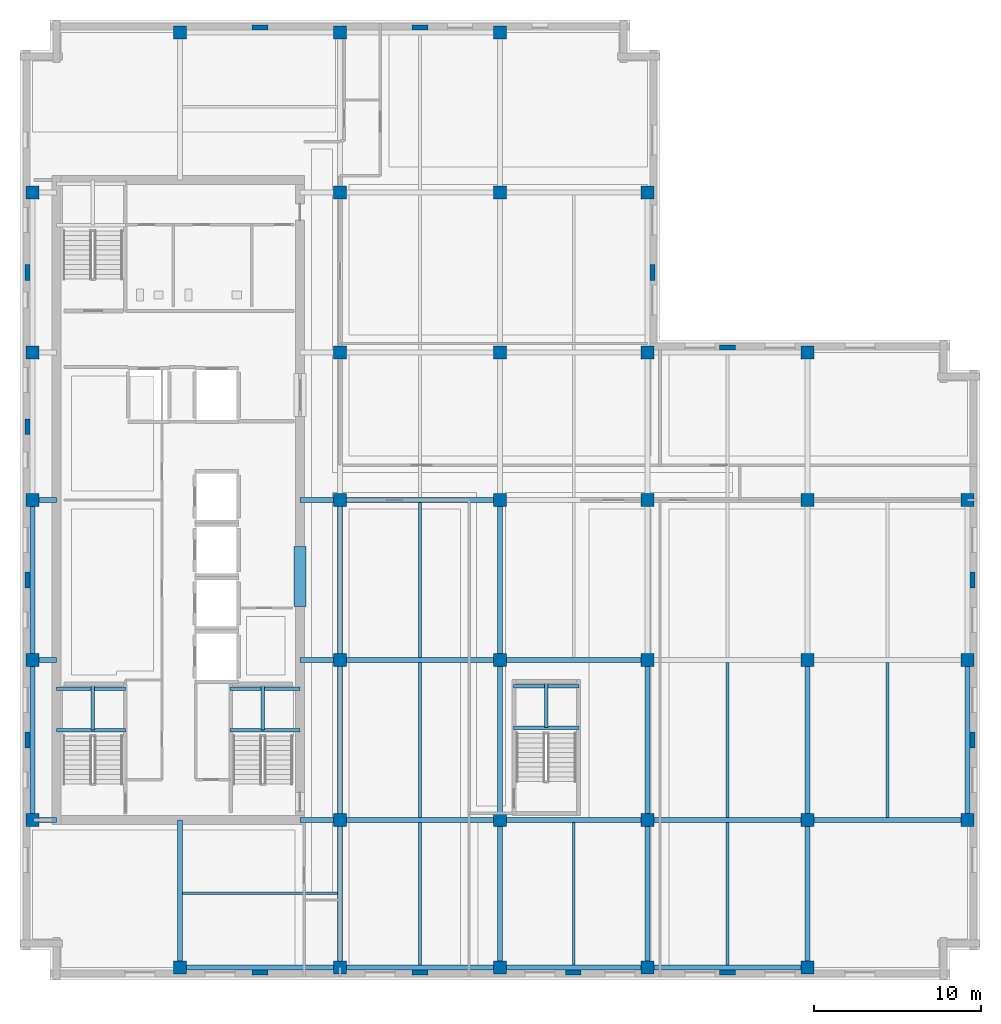
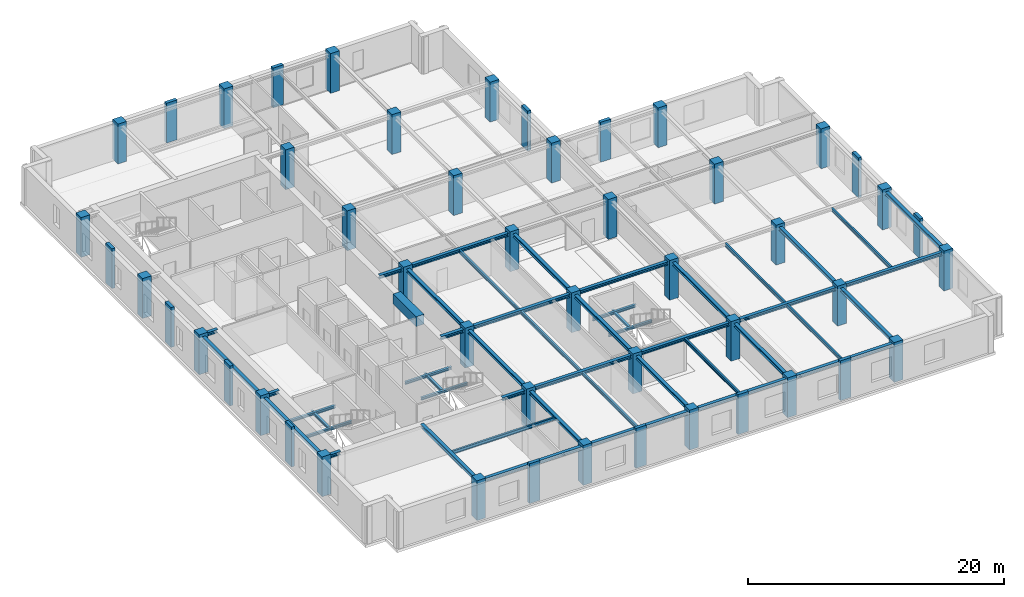
# One storey, part 1 of 12: 49 beams, 49 columns.
"""IFC4 building model written with IfcOpenShell, lengths in metres."""

from ifc_helpers import new_model, si_unit, direction, frame, origin, origin_2d, place, context, subcontext, project, spatial, rectangle, i_section, extrude, material, material_profile, profile_set, type_object, element, save


model = new_model("IFC4")

# Units and contexts
model_context = context("Model", 3, precision=1e-05, world=origin(), true_north=direction((0.0, 1.0)))
body_context = subcontext(model_context, "Body", "Model", "MODEL_VIEW")
ifc_project = project(units=[si_unit("LENGTHUNIT", "METRE"), si_unit("AREAUNIT", "SQUARE_METRE"), si_unit("VOLUMEUNIT", "CUBIC_METRE"), si_unit("PLANEANGLEUNIT", "RADIAN"), si_unit("MASSUNIT", "GRAM", prefix="KILO")], contexts=[model_context])

# Site, building, storey
site_placement = place(None, origin())
site = spatial("IfcSite", under=ifc_project, at=site_placement, CompositionType="ELEMENT")
building_placement = place(site_placement, origin())
building = spatial("IfcBuilding", under=site, at=building_placement, Name="Norrvale University Quadrangle", CompositionType="ELEMENT")
storey_placement = place(building_placement, frame((0.0, 0.0, 240.800048828125)))
storey = spatial("IfcBuildingStorey", under=building, at=storey_placement, Name="L61", CompositionType="ELEMENT", Elevation=240.800048828125)

# Columns
ifc_material_1 = material(Name="Red Manganese Brick Concrete C60/75", Category="concrete")
ifc_material_profile_1 = material_profile(ifc_material_1, rectangle(XDim=0.949951171875, YDim=0.300048828125, at=origin_2d()), Name="Red Manganese Brick Concrete C60/75")
ifc_profile_set_1 = profile_set([ifc_material_profile_1], Name="Red Manganese Brick Concrete C60/75")
column_type_1 = type_object("IfcColumnType", Name="Column Brick Pier 950x300", PredefinedType="PILASTER", material=ifc_profile_set_1)
for number, where, z_axis, x_axis, name in (
    (1, (0.449951171875, 14.39990234375, 0.0), (0.0, 0.0, 1.0), (0.0, 1.0, 0.0), "Exterior Brick Facade Pilaster L61-01"),
    (2, (0.449951171875, 24.0, 0.0), (0.0, 0.0, 1.0), (0.0, 1.0, 0.0), "Exterior Brick Facade Pilaster L61-02"),
    (3, (0.449951171875, 33.199951171875, 0.0), (0.0, 0.0, 1.0), (0.0, 1.0, 0.0), "Exterior Brick Facade Pilaster L61-03"),
    (4, (0.449951171875, 42.449951171875, 0.0), (0.0, 0.0, 1.0), (0.0, 1.0, 0.0), "Exterior Brick Facade Pilaster L61-04"),
    (5, (14.39990234375, 0.449951171875, 0.0), (0.0, 0.0, 1.0), (1.0, 0.0, 0.0), "Exterior Brick Facade Pilaster L61-05"),
    (6, (24.0, 0.449951171875, 0.0), (0.0, 0.0, 1.0), (1.0, 0.0, 0.0), "Exterior Brick Facade Pilaster L61-06"),
    (7, (33.199951171875, 0.449951171875, 0.0), (0.0, 0.0, 1.0), (1.0, 0.0, 0.0), "Exterior Brick Facade Pilaster L61-07"),
    (8, (42.449951171875, 0.449951171875, 0.0), (0.0, 0.0, 1.0), (1.0, 0.0, 0.0), "Exterior Brick Facade Pilaster L61-08"),
    (9, (57.14990234375, 14.39990234375, 0.0), (0.0, 0.0, 1.0), (0.0, 1.0, 0.0), "Exterior Brick Facade Pilaster L61-09"),
    (10, (57.14990234375, 24.0, 0.0), (0.0, 0.0, 1.0), (0.0, 1.0, 0.0), "Exterior Brick Facade Pilaster L61-10"),
    (11, (14.39990234375, 57.14990234375, 0.0), (0.0, 0.0, 1.0), (1.0, 0.0, 0.0), "Exterior Brick Facade Pilaster L61-11"),
    (12, (24.0, 57.14990234375, 0.0), (0.0, 0.0, 1.0), (1.0, 0.0, 0.0), "Exterior Brick Facade Pilaster L61-12"),
    (13, (37.949951171875, 42.449951171875, 0.0), (0.0, 0.0, 1.0), (0.0, 1.0, 0.0), "Exterior Brick Facade Pilaster L61-13"),
    (14, (42.449951171875, 37.949951171875, 0.0), (0.0, 0.0, 1.0), (1.0, 0.0, 0.0), "Exterior Brick Facade Pilaster L61-14"),
):
    element("IfcColumn", number, at=place(storey_placement, frame(where, z_axis=z_axis, x_axis=x_axis)), inside=storey, type_object=column_type_1, Name=name, PredefinedType="PILASTER", context=body_context, shape_type="SweptSolid", body=[
        extrude(rectangle(XDim=0.949951171875, YDim=0.300048828125, at=origin_2d()), origin(), (0.0, 0.0, 1.0), 3.800048828125),
    ])
ifc_material_2 = material(Name="Concrete C60/75", Category="concrete")
ifc_material_profile_2 = material_profile(ifc_material_2, rectangle(XDim=0.800048828125, YDim=0.800048828125, at=origin_2d()), Name="Concrete C60/75")
ifc_profile_set_2 = profile_set([ifc_material_profile_2], Name="Concrete C60/75")
column_type_2 = type_object("IfcColumnType", Name="Column Tower Z3 800x800", PredefinedType="COLUMN", material=ifc_profile_set_2)
for number, where, z_axis, x_axis, name in (
    (15, (0.75, 9.60009765625, 0.0), (0.0, 0.0, 1.0), (1.0, 0.0, 0.0), "Tower Column L61-T01"),
    (16, (0.75, 19.199951171875, 0.0), (0.0, 0.0, 1.0), (1.0, 0.0, 0.0), "Tower Column L61-T02"),
    (17, (0.75, 28.800048828125, 0.0), (0.0, 0.0, 1.0), (1.0, 0.0, 0.0), "Tower Column L61-T03"),
    (18, (0.75, 37.64990234375, 0.0), (0.0, 0.0, 1.0), (1.0, 0.0, 0.0), "Tower Column L61-T04"),
    (19, (0.75, 47.25, 0.0), (0.0, 0.0, 1.0), (1.0, 0.0, 0.0), "Tower Column L61-T05"),
    (20, (9.60009765625, 0.75, 0.0), (0.0, 0.0, 1.0), (1.0, 0.0, 0.0), "Tower Column L61-T06"),
    (21, (9.60009765625, 56.85009765625, 0.0), (0.0, 0.0, 1.0), (1.0, 0.0, 0.0), "Tower Column L61-T07"),
    (22, (19.199951171875, 0.75, 0.0), (0.0, 0.0, 1.0), (1.0, 0.0, 0.0), "Tower Column L61-T08"),
    (23, (19.199951171875, 9.60009765625, 0.0), (0.0, 0.0, 1.0), (1.0, 0.0, 0.0), "Tower Column L61-T09"),
    (24, (19.199951171875, 19.199951171875, 0.0), (0.0, 0.0, 1.0), (1.0, 0.0, 0.0), "Tower Column L61-T10"),
    (25, (19.199951171875, 28.800048828125, 0.0), (0.0, 0.0, 1.0), (1.0, 0.0, 0.0), "Tower Column L61-T11"),
    (26, (19.199951171875, 37.64990234375, 0.0), (0.0, 0.0, 1.0), (1.0, 0.0, 0.0), "Tower Column L61-T12"),
    (27, (19.199951171875, 47.25, 0.0), (0.0, 0.0, 1.0), (1.0, 0.0, 0.0), "Tower Column L61-T13"),
    (28, (19.199951171875, 56.85009765625, 0.0), (0.0, 0.0, 1.0), (1.0, 0.0, 0.0), "Tower Column L61-T14"),
    (29, (28.800048828125, 0.75, 0.0), (0.0, 0.0, 1.0), (1.0, 0.0, 0.0), "Tower Column L61-T15"),
    (30, (28.800048828125, 9.60009765625, 0.0), (0.0, 0.0, 1.0), (1.0, 0.0, 0.0), "Tower Column L61-T16"),
    (31, (28.800048828125, 19.199951171875, 0.0), (0.0, 0.0, 1.0), (1.0, 0.0, 0.0), "Tower Column L61-T17"),
    (32, (28.800048828125, 28.800048828125, 0.0), (0.0, 0.0, 1.0), (1.0, 0.0, 0.0), "Tower Column L61-T18"),
    (33, (28.800048828125, 37.64990234375, 0.0), (0.0, 0.0, 1.0), (1.0, 0.0, 0.0), "Tower Column L61-T19"),
    (34, (28.800048828125, 47.25, 0.0), (0.0, 0.0, 1.0), (1.0, 0.0, 0.0), "Tower Column L61-T20"),
    (35, (28.800048828125, 56.85009765625, 0.0), (0.0, 0.0, 1.0), (1.0, 0.0, 0.0), "Tower Column L61-T21"),
    (36, (37.64990234375, 0.75, 0.0), (0.0, 0.0, 1.0), (1.0, 0.0, 0.0), "Tower Column L61-T22"),
    (37, (37.64990234375, 9.60009765625, 0.0), (0.0, 0.0, 1.0), (1.0, 0.0, 0.0), "Tower Column L61-T23"),
    (38, (37.64990234375, 19.199951171875, 0.0), (0.0, 0.0, 1.0), (1.0, 0.0, 0.0), "Tower Column L61-T24"),
    (39, (37.64990234375, 28.800048828125, 0.0), (0.0, 0.0, 1.0), (1.0, 0.0, 0.0), "Tower Column L61-T25"),
    (40, (37.64990234375, 37.64990234375, 0.0), (0.0, 0.0, 1.0), (1.0, 0.0, 0.0), "Tower Column L61-T26"),
    (41, (37.64990234375, 47.25, 0.0), (0.0, 0.0, 1.0), (1.0, 0.0, 0.0), "Tower Column L61-T27"),
    (42, (47.25, 0.75, 0.0), (0.0, 0.0, 1.0), (1.0, 0.0, 0.0), "Tower Column L61-T28"),
    (43, (47.25, 9.60009765625, 0.0), (0.0, 0.0, 1.0), (1.0, 0.0, 0.0), "Tower Column L61-T29"),
    (44, (47.25, 19.199951171875, 0.0), (0.0, 0.0, 1.0), (1.0, 0.0, 0.0), "Tower Column L61-T30"),
    (45, (47.25, 28.800048828125, 0.0), (0.0, 0.0, 1.0), (1.0, 0.0, 0.0), "Tower Column L61-T31"),
    (46, (47.25, 37.64990234375, 0.0), (0.0, 0.0, 1.0), (1.0, 0.0, 0.0), "Tower Column L61-T32"),
    (47, (56.85009765625, 9.60009765625, 0.0), (0.0, 0.0, 1.0), (1.0, 0.0, 0.0), "Tower Column L61-T33"),
    (48, (56.85009765625, 19.199951171875, 0.0), (0.0, 0.0, 1.0), (1.0, 0.0, 0.0), "Tower Column L61-T34"),
    (49, (56.85009765625, 28.800048828125, 0.0), (0.0, 0.0, 1.0), (1.0, 0.0, 0.0), "Tower Column L61-T35"),
):
    element("IfcColumn", number, at=place(storey_placement, frame(where, z_axis=z_axis, x_axis=x_axis)), inside=storey, type_object=column_type_2, Name=name, PredefinedType="COLUMN", context=body_context, shape_type="SweptSolid", body=[
        extrude(rectangle(XDim=0.800048828125, YDim=0.800048828125, at=origin_2d()), origin(), (0.0, 0.0, 1.0), 3.800048828125),
    ])

# Beams
ifc_material_3 = material(Name="Steel 350W", Category="steel")
ifc_material_profile_3 = material_profile(ifc_material_3, i_section(OverallWidth=0.1669921875, OverallDepth=0.31689453125, WebThickness=0.007568359375, FlangeThickness=0.01318359375, FilletRadius=0.010009765625, at=origin_2d()), Name="Steel 350W")
ifc_profile_set_3 = profile_set([ifc_material_profile_3], Name="Steel 350W")
beam_type_1 = type_object("IfcBeamType", Name="Beam Canopy Purlin W310x52", PredefinedType="USERDEFINED", material=ifc_profile_set_3)
beam_1_placement = place(storey_placement, frame((24.0, 0.902587890625, 3.38134765625), z_axis=(0.0, 1.0, 0.0), x_axis=(-1.0, 0.0, 0.0)))
element("IfcBeam", 50, at=beam_1_placement, inside=storey, type_object=beam_type_1, Name="Beam Canopy Purlin W310x52 BM-L61-J061", ObjectType="PURLIN", PredefinedType="USERDEFINED", context=body_context, shape_type="SweptSolid", body=[
    extrude(i_section(OverallWidth=0.1669921875, OverallDepth=0.31689453125, WebThickness=0.007568359375, FlangeThickness=0.01318359375, FilletRadius=0.010009765625, at=origin_2d()), origin(), (0.0, 0.0, 1.0), 8.544921875),
])
beam_2_placement = place(storey_placement, frame((24.0, 9.75244140625, 3.38134765625), z_axis=(0.0, 1.0, 0.0), x_axis=(-1.0, 0.0, 0.0)))
element("IfcBeam", 51, at=beam_2_placement, inside=storey, type_object=beam_type_1, Name="Beam Canopy Purlin W310x52 BM-L61-J062", ObjectType="PURLIN", PredefinedType="USERDEFINED", context=body_context, shape_type="SweptSolid", body=[
    extrude(i_section(OverallWidth=0.1669921875, OverallDepth=0.31689453125, WebThickness=0.007568359375, FlangeThickness=0.01318359375, FilletRadius=0.010009765625, at=origin_2d()), origin(), (0.0, 0.0, 1.0), 9.295166015625),
])
beam_3_placement = place(storey_placement, frame((24.0, 19.3525390625, 3.38134765625), z_axis=(0.0, 1.0, 0.0), x_axis=(-1.0, 0.0, 0.0)))
element("IfcBeam", 52, at=beam_3_placement, inside=storey, type_object=beam_type_1, Name="Beam Canopy Purlin W310x52 BM-L61-J063", ObjectType="PURLIN", PredefinedType="USERDEFINED", context=body_context, shape_type="SweptSolid", body=[
    extrude(i_section(OverallWidth=0.1669921875, OverallDepth=0.31689453125, WebThickness=0.007568359375, FlangeThickness=0.01318359375, FilletRadius=0.010009765625, at=origin_2d()), origin(), (0.0, 0.0, 1.0), 9.294921875),
])
for number, where, z_axis, x_axis, name in (
    (53, (33.22509765625, 0.902587890625, 3.38134765625), (0.0, 1.0, 0.0), (-1.0, 0.0, 0.0), "Beam Canopy Purlin W310x52 BM-L61-J067"),
    (54, (42.449951171875, 0.902587890625, 3.38134765625), (0.0, 1.0, 0.0), (-1.0, 0.0, 0.0), "Beam Canopy Purlin W310x52 BM-L61-J071"),
):
    element("IfcBeam", number, at=place(storey_placement, frame(where, z_axis=z_axis, x_axis=x_axis)), inside=storey, type_object=beam_type_1, Name=name, ObjectType="PURLIN", PredefinedType="USERDEFINED", context=body_context, shape_type="SweptSolid", body=[
        extrude(i_section(OverallWidth=0.1669921875, OverallDepth=0.31689453125, WebThickness=0.007568359375, FlangeThickness=0.01318359375, FilletRadius=0.010009765625, at=origin_2d()), origin(), (0.0, 0.0, 1.0), 8.544921875),
    ])
for number, where, z_axis, x_axis, name in (
    (55, (42.449951171875, 9.75244140625, 3.38134765625), (0.0, 1.0, 0.0), (-1.0, 0.0, 0.0), "Beam Canopy Purlin W310x52 BM-L61-J072"),
    (56, (52.050048828125, 9.75244140625, 3.38134765625), (0.0, 1.0, 0.0), (-1.0, 0.0, 0.0), "Beam Canopy Purlin W310x52 BM-L61-J075"),
    (57, (9.75244140625, 5.199951171875, 3.38134765625), (1.0, 0.0, 0.0), (0.0, 1.0, 0.0), "Beam Canopy Purlin W310x52 BM-L61-JCS078"),
):
    element("IfcBeam", number, at=place(storey_placement, frame(where, z_axis=z_axis, x_axis=x_axis)), inside=storey, type_object=beam_type_1, Name=name, ObjectType="PURLIN", PredefinedType="USERDEFINED", context=body_context, shape_type="SweptSolid", body=[
        extrude(i_section(OverallWidth=0.1669921875, OverallDepth=0.31689453125, WebThickness=0.007568359375, FlangeThickness=0.01318359375, FilletRadius=0.010009765625, at=origin_2d()), origin(), (0.0, 0.0, 1.0), 9.295166015625),
    ])
ifc_material_profile_4 = material_profile(ifc_material_3, i_section(OverallWidth=0.304931640625, OverallDepth=0.30810546875, WebThickness=0.010009765625, FlangeThickness=0.015380859375, FilletRadius=0.014892578125, at=origin_2d()), Name="Steel 350W")
ifc_profile_set_4 = profile_set([ifc_material_profile_4], Name="Steel 350W")
beam_type_2 = type_object("IfcBeamType", Name="Beam Canopy W310x97", PredefinedType="BEAM", material=ifc_profile_set_4)
beam_4_placement = place(storey_placement, frame((9.60009765625, 0.75, 3.385986328125), z_axis=(1.0, 0.0, 0.0), x_axis=(0.0, 1.0, 0.0)))
element("IfcBeam", 58, at=beam_4_placement, inside=storey, type_object=beam_type_2, Name="Beam Canopy W310x97 BM-L61-GX001", PredefinedType="BEAM", context=body_context, shape_type="SweptSolid", body=[
    extrude(i_section(OverallWidth=0.304931640625, OverallDepth=0.30810546875, WebThickness=0.010009765625, FlangeThickness=0.015380859375, FilletRadius=0.014892578125, at=origin_2d()), origin(), (0.0, 0.0, 1.0), 9.599853515625),
])
beam_5_placement = place(storey_placement, frame((19.199951171875, 0.75, 3.385986328125), z_axis=(1.0, 0.0, 0.0), x_axis=(0.0, 1.0, 0.0)))
element("IfcBeam", 59, at=beam_5_placement, inside=storey, type_object=beam_type_2, Name="Beam Canopy W310x97 BM-L61-GX002", PredefinedType="BEAM", context=body_context, shape_type="SweptSolid", body=[
    extrude(i_section(OverallWidth=0.304931640625, OverallDepth=0.30810546875, WebThickness=0.010009765625, FlangeThickness=0.015380859375, FilletRadius=0.014892578125, at=origin_2d()), origin(), (0.0, 0.0, 1.0), 9.60009765625),
])
beam_6_placement = place(storey_placement, frame((28.800048828125, 0.75, 3.385986328125), z_axis=(1.0, 0.0, 0.0), x_axis=(0.0, 1.0, 0.0)))
element("IfcBeam", 60, at=beam_6_placement, inside=storey, type_object=beam_type_2, Name="Beam Canopy W310x97 BM-L61-GX003", PredefinedType="BEAM", context=body_context, shape_type="SweptSolid", body=[
    extrude(i_section(OverallWidth=0.304931640625, OverallDepth=0.30810546875, WebThickness=0.010009765625, FlangeThickness=0.015380859375, FilletRadius=0.014892578125, at=origin_2d()), origin(), (0.0, 0.0, 1.0), 8.849853515625),
])
for number, where, z_axis, x_axis, name in (
    (61, (37.64990234375, 0.75, 3.385986328125), (1.0, 0.0, 0.0), (0.0, 1.0, 0.0), "Beam Canopy W310x97 BM-L61-GX004"),
    (62, (19.199951171875, 9.60009765625, 3.385986328125), (1.0, 0.0, 0.0), (0.0, 1.0, 0.0), "Beam Canopy W310x97 BM-L61-GX005"),
):
    element("IfcBeam", number, at=place(storey_placement, frame(where, z_axis=z_axis, x_axis=x_axis)), inside=storey, type_object=beam_type_2, Name=name, PredefinedType="BEAM", context=body_context, shape_type="SweptSolid", body=[
        extrude(i_section(OverallWidth=0.304931640625, OverallDepth=0.30810546875, WebThickness=0.010009765625, FlangeThickness=0.015380859375, FilletRadius=0.014892578125, at=origin_2d()), origin(), (0.0, 0.0, 1.0), 9.60009765625),
    ])
beam_7_placement = place(storey_placement, frame((28.800048828125, 9.60009765625, 3.385986328125), z_axis=(1.0, 0.0, 0.0), x_axis=(0.0, 1.0, 0.0)))
element("IfcBeam", 63, at=beam_7_placement, inside=storey, type_object=beam_type_2, Name="Beam Canopy W310x97 BM-L61-GX006", PredefinedType="BEAM", context=body_context, shape_type="SweptSolid", body=[
    extrude(i_section(OverallWidth=0.304931640625, OverallDepth=0.30810546875, WebThickness=0.010009765625, FlangeThickness=0.015380859375, FilletRadius=0.014892578125, at=origin_2d()), origin(), (0.0, 0.0, 1.0), 8.849853515625),
])
for number, where, z_axis, x_axis, name in (
    (64, (37.64990234375, 9.60009765625, 3.385986328125), (1.0, 0.0, 0.0), (0.0, 1.0, 0.0), "Beam Canopy W310x97 BM-L61-GX007"),
    (65, (47.25, 9.60009765625, 3.385986328125), (1.0, 0.0, 0.0), (0.0, 1.0, 0.0), "Beam Canopy W310x97 BM-L61-GX008"),
    (66, (19.199951171875, 19.199951171875, 3.385986328125), (1.0, 0.0, 0.0), (0.0, 1.0, 0.0), "Beam Canopy W310x97 BM-L61-GX009"),
):
    element("IfcBeam", number, at=place(storey_placement, frame(where, z_axis=z_axis, x_axis=x_axis)), inside=storey, type_object=beam_type_2, Name=name, PredefinedType="BEAM", context=body_context, shape_type="SweptSolid", body=[
        extrude(i_section(OverallWidth=0.304931640625, OverallDepth=0.30810546875, WebThickness=0.010009765625, FlangeThickness=0.015380859375, FilletRadius=0.014892578125, at=origin_2d()), origin(), (0.0, 0.0, 1.0), 9.60009765625),
    ])
beam_8_placement = place(storey_placement, frame((28.800048828125, 19.199951171875, 3.385986328125), z_axis=(1.0, 0.0, 0.0), x_axis=(0.0, 1.0, 0.0)))
element("IfcBeam", 67, at=beam_8_placement, inside=storey, type_object=beam_type_2, Name="Beam Canopy W310x97 BM-L61-GX010", PredefinedType="BEAM", context=body_context, shape_type="SweptSolid", body=[
    extrude(i_section(OverallWidth=0.304931640625, OverallDepth=0.30810546875, WebThickness=0.010009765625, FlangeThickness=0.015380859375, FilletRadius=0.014892578125, at=origin_2d()), origin(), (0.0, 0.0, 1.0), 8.849853515625),
])
beam_9_placement = place(storey_placement, frame((19.199951171875, 28.800048828125, 3.385986328125), z_axis=(1.0, 0.0, 0.0), x_axis=(0.0, 1.0, 0.0)))
element("IfcBeam", 68, at=beam_9_placement, inside=storey, type_object=beam_type_2, Name="Beam Canopy W310x97 BM-L61-GX013", PredefinedType="BEAM", context=body_context, shape_type="SweptSolid", body=[
    extrude(i_section(OverallWidth=0.304931640625, OverallDepth=0.30810546875, WebThickness=0.010009765625, FlangeThickness=0.015380859375, FilletRadius=0.014892578125, at=origin_2d()), origin(), (0.0, 0.0, 1.0), 9.60009765625),
])
beam_10_placement = place(storey_placement, frame((0.75, 9.60009765625, 3.385986328125), z_axis=(0.0, 1.0, 0.0), x_axis=(-1.0, 0.0, 0.0)))
element("IfcBeam", 69, at=beam_10_placement, inside=storey, type_object=beam_type_2, Name="Beam Canopy W310x97 BM-L61-GY024", PredefinedType="BEAM", context=body_context, shape_type="SweptSolid", body=[
    extrude(i_section(OverallWidth=0.304931640625, OverallDepth=0.30810546875, WebThickness=0.010009765625, FlangeThickness=0.015380859375, FilletRadius=0.014892578125, at=origin_2d()), origin(), (0.0, 0.0, 1.0), 9.599853515625),
])
beam_11_placement = place(storey_placement, frame((0.75, 19.199951171875, 3.385986328125), z_axis=(0.0, 1.0, 0.0), x_axis=(-1.0, 0.0, 0.0)))
element("IfcBeam", 70, at=beam_11_placement, inside=storey, type_object=beam_type_2, Name="Beam Canopy W310x97 BM-L61-GY025", PredefinedType="BEAM", context=body_context, shape_type="SweptSolid", body=[
    extrude(i_section(OverallWidth=0.304931640625, OverallDepth=0.30810546875, WebThickness=0.010009765625, FlangeThickness=0.015380859375, FilletRadius=0.014892578125, at=origin_2d()), origin(), (0.0, 0.0, 1.0), 9.60009765625),
])
beam_12_placement = place(storey_placement, frame((19.199951171875, 0.75, 3.385986328125), z_axis=(0.0, 1.0, 0.0), x_axis=(-1.0, 0.0, 0.0)))
element("IfcBeam", 71, at=beam_12_placement, inside=storey, type_object=beam_type_2, Name="Beam Canopy W310x97 BM-L61-GY028", PredefinedType="BEAM", context=body_context, shape_type="SweptSolid", body=[
    extrude(i_section(OverallWidth=0.304931640625, OverallDepth=0.30810546875, WebThickness=0.010009765625, FlangeThickness=0.015380859375, FilletRadius=0.014892578125, at=origin_2d()), origin(), (0.0, 0.0, 1.0), 8.85009765625),
])
beam_13_placement = place(storey_placement, frame((19.199951171875, 9.60009765625, 3.385986328125), z_axis=(0.0, 1.0, 0.0), x_axis=(-1.0, 0.0, 0.0)))
element("IfcBeam", 72, at=beam_13_placement, inside=storey, type_object=beam_type_2, Name="Beam Canopy W310x97 BM-L61-GY029", PredefinedType="BEAM", context=body_context, shape_type="SweptSolid", body=[
    extrude(i_section(OverallWidth=0.304931640625, OverallDepth=0.30810546875, WebThickness=0.010009765625, FlangeThickness=0.015380859375, FilletRadius=0.014892578125, at=origin_2d()), origin(), (0.0, 0.0, 1.0), 9.599853515625),
])
beam_14_placement = place(storey_placement, frame((19.199951171875, 19.199951171875, 3.385986328125), z_axis=(0.0, 1.0, 0.0), x_axis=(-1.0, 0.0, 0.0)))
element("IfcBeam", 73, at=beam_14_placement, inside=storey, type_object=beam_type_2, Name="Beam Canopy W310x97 BM-L61-GY030", PredefinedType="BEAM", context=body_context, shape_type="SweptSolid", body=[
    extrude(i_section(OverallWidth=0.304931640625, OverallDepth=0.30810546875, WebThickness=0.010009765625, FlangeThickness=0.015380859375, FilletRadius=0.014892578125, at=origin_2d()), origin(), (0.0, 0.0, 1.0), 9.60009765625),
])
beam_15_placement = place(storey_placement, frame((28.800048828125, 0.75, 3.385986328125), z_axis=(0.0, 1.0, 0.0), x_axis=(-1.0, 0.0, 0.0)))
element("IfcBeam", 74, at=beam_15_placement, inside=storey, type_object=beam_type_2, Name="Beam Canopy W310x97 BM-L61-GY034", PredefinedType="BEAM", context=body_context, shape_type="SweptSolid", body=[
    extrude(i_section(OverallWidth=0.304931640625, OverallDepth=0.30810546875, WebThickness=0.010009765625, FlangeThickness=0.015380859375, FilletRadius=0.014892578125, at=origin_2d()), origin(), (0.0, 0.0, 1.0), 8.85009765625),
])
beam_16_placement = place(storey_placement, frame((28.800048828125, 9.60009765625, 3.385986328125), z_axis=(0.0, 1.0, 0.0), x_axis=(-1.0, 0.0, 0.0)))
element("IfcBeam", 75, at=beam_16_placement, inside=storey, type_object=beam_type_2, Name="Beam Canopy W310x97 BM-L61-GY035", PredefinedType="BEAM", context=body_context, shape_type="SweptSolid", body=[
    extrude(i_section(OverallWidth=0.304931640625, OverallDepth=0.30810546875, WebThickness=0.010009765625, FlangeThickness=0.015380859375, FilletRadius=0.014892578125, at=origin_2d()), origin(), (0.0, 0.0, 1.0), 9.599853515625),
])
beam_17_placement = place(storey_placement, frame((28.800048828125, 19.199951171875, 3.385986328125), z_axis=(0.0, 1.0, 0.0), x_axis=(-1.0, 0.0, 0.0)))
element("IfcBeam", 76, at=beam_17_placement, inside=storey, type_object=beam_type_2, Name="Beam Canopy W310x97 BM-L61-GY036", PredefinedType="BEAM", context=body_context, shape_type="SweptSolid", body=[
    extrude(i_section(OverallWidth=0.304931640625, OverallDepth=0.30810546875, WebThickness=0.010009765625, FlangeThickness=0.015380859375, FilletRadius=0.014892578125, at=origin_2d()), origin(), (0.0, 0.0, 1.0), 9.60009765625),
])
beam_18_placement = place(storey_placement, frame((37.64990234375, 0.75, 3.385986328125), z_axis=(0.0, 1.0, 0.0), x_axis=(-1.0, 0.0, 0.0)))
element("IfcBeam", 77, at=beam_18_placement, inside=storey, type_object=beam_type_2, Name="Beam Canopy W310x97 BM-L61-GY040", PredefinedType="BEAM", context=body_context, shape_type="SweptSolid", body=[
    extrude(i_section(OverallWidth=0.304931640625, OverallDepth=0.30810546875, WebThickness=0.010009765625, FlangeThickness=0.015380859375, FilletRadius=0.014892578125, at=origin_2d()), origin(), (0.0, 0.0, 1.0), 8.85009765625),
])
beam_19_placement = place(storey_placement, frame((37.64990234375, 9.60009765625, 3.385986328125), z_axis=(0.0, 1.0, 0.0), x_axis=(-1.0, 0.0, 0.0)))
element("IfcBeam", 78, at=beam_19_placement, inside=storey, type_object=beam_type_2, Name="Beam Canopy W310x97 BM-L61-GY041", PredefinedType="BEAM", context=body_context, shape_type="SweptSolid", body=[
    extrude(i_section(OverallWidth=0.304931640625, OverallDepth=0.30810546875, WebThickness=0.010009765625, FlangeThickness=0.015380859375, FilletRadius=0.014892578125, at=origin_2d()), origin(), (0.0, 0.0, 1.0), 9.599853515625),
])
beam_20_placement = place(storey_placement, frame((47.25, 0.75, 3.385986328125), z_axis=(0.0, 1.0, 0.0), x_axis=(-1.0, 0.0, 0.0)))
element("IfcBeam", 79, at=beam_20_placement, inside=storey, type_object=beam_type_2, Name="Beam Canopy W310x97 BM-L61-GY045", PredefinedType="BEAM", context=body_context, shape_type="SweptSolid", body=[
    extrude(i_section(OverallWidth=0.304931640625, OverallDepth=0.30810546875, WebThickness=0.010009765625, FlangeThickness=0.015380859375, FilletRadius=0.014892578125, at=origin_2d()), origin(), (0.0, 0.0, 1.0), 8.85009765625),
])
for number, where, z_axis, x_axis, name in (
    (80, (47.25, 9.60009765625, 3.385986328125), (0.0, 1.0, 0.0), (-1.0, 0.0, 0.0), "Beam Canopy W310x97 BM-L61-GY046"),
    (81, (56.85009765625, 9.60009765625, 3.385986328125), (0.0, 1.0, 0.0), (-1.0, 0.0, 0.0), "Beam Canopy W310x97 BM-L61-GY049"),
):
    element("IfcBeam", number, at=place(storey_placement, frame(where, z_axis=z_axis, x_axis=x_axis)), inside=storey, type_object=beam_type_2, Name=name, PredefinedType="BEAM", context=body_context, shape_type="SweptSolid", body=[
        extrude(i_section(OverallWidth=0.304931640625, OverallDepth=0.30810546875, WebThickness=0.010009765625, FlangeThickness=0.015380859375, FilletRadius=0.014892578125, at=origin_2d()), origin(), (0.0, 0.0, 1.0), 9.599853515625),
    ])
beam_21_placement = place(storey_placement, frame((0.75, 9.60009765625, 3.385986328125), z_axis=(1.0, 0.0, 0.0), x_axis=(0.0, 1.0, 0.0)))
element("IfcBeam", 82, at=beam_21_placement, inside=storey, type_object=beam_type_2, Name="Beam Canopy W310x97 BM-L61-GCW051", PredefinedType="BEAM", context=body_context, shape_type="SweptSolid", body=[
    extrude(i_section(OverallWidth=0.304931640625, OverallDepth=0.30810546875, WebThickness=0.010009765625, FlangeThickness=0.015380859375, FilletRadius=0.014892578125, at=origin_2d()), origin(), (0.0, 0.0, 1.0), 1.449951171875),
])
beam_22_placement = place(storey_placement, frame((16.800048828125, 9.60009765625, 3.385986328125), z_axis=(1.0, 0.0, 0.0), x_axis=(0.0, 1.0, 0.0)))
element("IfcBeam", 83, at=beam_22_placement, inside=storey, type_object=beam_type_2, Name="Beam Canopy W310x97 BM-L61-GCE052", PredefinedType="BEAM", context=body_context, shape_type="SweptSolid", body=[
    extrude(i_section(OverallWidth=0.304931640625, OverallDepth=0.30810546875, WebThickness=0.010009765625, FlangeThickness=0.015380859375, FilletRadius=0.014892578125, at=origin_2d()), origin(), (0.0, 0.0, 1.0), 2.39990234375),
])
beam_23_placement = place(storey_placement, frame((0.75, 19.199951171875, 3.385986328125), z_axis=(1.0, 0.0, 0.0), x_axis=(0.0, 1.0, 0.0)))
element("IfcBeam", 84, at=beam_23_placement, inside=storey, type_object=beam_type_2, Name="Beam Canopy W310x97 BM-L61-GCW053", PredefinedType="BEAM", context=body_context, shape_type="SweptSolid", body=[
    extrude(i_section(OverallWidth=0.304931640625, OverallDepth=0.30810546875, WebThickness=0.010009765625, FlangeThickness=0.015380859375, FilletRadius=0.014892578125, at=origin_2d()), origin(), (0.0, 0.0, 1.0), 1.449951171875),
])
beam_24_placement = place(storey_placement, frame((16.800048828125, 19.199951171875, 3.385986328125), z_axis=(1.0, 0.0, 0.0), x_axis=(0.0, 1.0, 0.0)))
element("IfcBeam", 85, at=beam_24_placement, inside=storey, type_object=beam_type_2, Name="Beam Canopy W310x97 BM-L61-GCE054", PredefinedType="BEAM", context=body_context, shape_type="SweptSolid", body=[
    extrude(i_section(OverallWidth=0.304931640625, OverallDepth=0.30810546875, WebThickness=0.010009765625, FlangeThickness=0.015380859375, FilletRadius=0.014892578125, at=origin_2d()), origin(), (0.0, 0.0, 1.0), 2.39990234375),
])
beam_25_placement = place(storey_placement, frame((0.75, 28.800048828125, 3.385986328125), z_axis=(1.0, 0.0, 0.0), x_axis=(0.0, 1.0, 0.0)))
element("IfcBeam", 86, at=beam_25_placement, inside=storey, type_object=beam_type_2, Name="Beam Canopy W310x97 BM-L61-GCW055", PredefinedType="BEAM", context=body_context, shape_type="SweptSolid", body=[
    extrude(i_section(OverallWidth=0.304931640625, OverallDepth=0.30810546875, WebThickness=0.010009765625, FlangeThickness=0.015380859375, FilletRadius=0.014892578125, at=origin_2d()), origin(), (0.0, 0.0, 1.0), 1.449951171875),
])
beam_26_placement = place(storey_placement, frame((16.800048828125, 28.800048828125, 3.385986328125), z_axis=(1.0, 0.0, 0.0), x_axis=(0.0, 1.0, 0.0)))
element("IfcBeam", 87, at=beam_26_placement, inside=storey, type_object=beam_type_2, Name="Beam Canopy W310x97 BM-L61-GCE056", PredefinedType="BEAM", context=body_context, shape_type="SweptSolid", body=[
    extrude(i_section(OverallWidth=0.304931640625, OverallDepth=0.30810546875, WebThickness=0.010009765625, FlangeThickness=0.015380859375, FilletRadius=0.014892578125, at=origin_2d()), origin(), (0.0, 0.0, 1.0), 2.39990234375),
])
beam_27_placement = place(storey_placement, frame((9.60009765625, 0.75, 3.385986328125), z_axis=(0.0, 1.0, 0.0), x_axis=(-1.0, 0.0, 0.0)))
element("IfcBeam", 88, at=beam_27_placement, inside=storey, type_object=beam_type_2, Name="Beam Canopy W310x97 BM-L61-GCS077", PredefinedType="BEAM", context=body_context, shape_type="SweptSolid", body=[
    extrude(i_section(OverallWidth=0.304931640625, OverallDepth=0.30810546875, WebThickness=0.010009765625, FlangeThickness=0.015380859375, FilletRadius=0.014892578125, at=origin_2d()), origin(), (0.0, 0.0, 1.0), 8.85009765625),
])
ifc_material_4 = material(Name="Concrete C80/95", Category="concrete")
ifc_material_profile_5 = material_profile(ifc_material_4, rectangle(XDim=0.699951171875, YDim=0.949951171875, at=origin_2d()), Name="Concrete C80/95")
ifc_profile_set_5 = profile_set([ifc_material_profile_5], Name="Concrete C80/95")
beam_type_3 = type_object("IfcBeamType", Name="Beam Core Link 700x950", PredefinedType="LINTEL", material=ifc_profile_set_5)
beam_28_placement = place(storey_placement, frame((16.800048828125, 22.39990234375, 3.06494140625), z_axis=(0.0, 1.0, 0.0), x_axis=(-1.0, 0.0, 0.0)))
element("IfcBeam", 89, at=beam_28_placement, inside=storey, type_object=beam_type_3, Name="Core Coupling Lintel Beam L61-1", PredefinedType="LINTEL", context=body_context, shape_type="SweptSolid", body=[
    extrude(rectangle(XDim=0.699951171875, YDim=0.949951171875, at=origin_2d()), origin(), (0.0, 0.0, 1.0), 3.60009765625),
])
ifc_material_profile_6 = material_profile(ifc_material_3, i_section(OverallWidth=0.201904296875, OverallDepth=0.2470703125, WebThickness=0.00732421875, FlangeThickness=0.010986328125, FilletRadius=0.011962890625, at=origin_2d()), Name="Steel 350W")
ifc_profile_set_6 = profile_set([ifc_material_profile_6], Name="Steel 350W")
beam_type_4 = type_object("IfcBeamType", Name="Beam Stair W250x49", PredefinedType="BEAM", material=ifc_profile_set_6)
for number, where, z_axis, x_axis, name in (
    (90, (2.199951171875, 14.989990234375, 1.576416015625), (1.0, 0.0, 0.0), (0.0, 1.0, 0.0), "Stair Mid-Landing Front Beam ST-01 L61"),
    (91, (2.199951171875, 17.469970703125, 1.576416015625), (1.0, 0.0, 0.0), (0.0, 1.0, 0.0), "Stair Mid-Landing Rear Beam ST-01 L61"),
):
    element("IfcBeam", number, at=place(storey_placement, frame(where, z_axis=z_axis, x_axis=x_axis)), inside=storey, type_object=beam_type_4, Name=name, PredefinedType="BEAM", context=body_context, shape_type="SweptSolid", body=[
        extrude(i_section(OverallWidth=0.201904296875, OverallDepth=0.2470703125, WebThickness=0.00732421875, FlangeThickness=0.010986328125, FilletRadius=0.011962890625, at=origin_2d()), origin(), (0.0, 0.0, 1.0), 4.14013671875),
    ])
for number, where, z_axis, x_axis, name in (
    (92, (12.610107421875, 14.989990234375, 1.576416015625), (1.0, 0.0, 0.0), (0.0, 1.0, 0.0), "Stair Mid-Landing Front Beam ST-03 L61"),
    (93, (12.610107421875, 17.469970703125, 1.576416015625), (1.0, 0.0, 0.0), (0.0, 1.0, 0.0), "Stair Mid-Landing Rear Beam ST-03 L61"),
):
    element("IfcBeam", number, at=place(storey_placement, frame(where, z_axis=z_axis, x_axis=x_axis)), inside=storey, type_object=beam_type_4, Name=name, PredefinedType="BEAM", context=body_context, shape_type="SweptSolid", body=[
        extrude(i_section(OverallWidth=0.201904296875, OverallDepth=0.2470703125, WebThickness=0.00732421875, FlangeThickness=0.010986328125, FilletRadius=0.011962890625, at=origin_2d()), origin(), (0.0, 0.0, 1.0), 4.18994140625),
    ])
for number, where, z_axis, x_axis, name in (
    (94, (29.610107421875, 15.139892578125, 1.576416015625), (1.0, 0.0, 0.0), (0.0, 1.0, 0.0), "Stair Mid-Landing Front Beam ST-04 L61"),
    (95, (29.610107421875, 17.6201171875, 1.576416015625), (1.0, 0.0, 0.0), (0.0, 1.0, 0.0), "Stair Mid-Landing Rear Beam ST-04 L61"),
):
    element("IfcBeam", number, at=place(storey_placement, frame(where, z_axis=z_axis, x_axis=x_axis)), inside=storey, type_object=beam_type_4, Name=name, PredefinedType="BEAM", context=body_context, shape_type="SweptSolid", body=[
        extrude(i_section(OverallWidth=0.201904296875, OverallDepth=0.2470703125, WebThickness=0.00732421875, FlangeThickness=0.010986328125, FilletRadius=0.011962890625, at=origin_2d()), origin(), (0.0, 0.0, 1.0), 3.929931640625),
    ])
ifc_material_profile_7 = material_profile(ifc_material_3, i_section(OverallWidth=0.202880859375, OverallDepth=0.202880859375, WebThickness=0.007080078125, FlangeThickness=0.010986328125, FilletRadius=0.010009765625, at=origin_2d()), Name="Steel 350W")
ifc_profile_set_7 = profile_set([ifc_material_profile_7], Name="Steel 350W")
beam_type_5 = type_object("IfcBeamType", Name="Beam Trim W200x46", PredefinedType="BEAM", material=ifc_profile_set_7)
for number, where, z_axis, x_axis, name in (
    (96, (4.375, 14.989990234375, 1.598388671875), (0.0, 1.0, 0.0), (-1.0, 0.0, 0.0), "Stair Mid-Landing Cross Beam ST-01 L61"),
    (97, (14.574951171875, 14.989990234375, 1.598388671875), (0.0, 1.0, 0.0), (-1.0, 0.0, 0.0), "Stair Mid-Landing Cross Beam ST-03 L61"),
    (98, (31.574951171875, 15.139892578125, 1.598388671875), (0.0, 1.0, 0.0), (-1.0, 0.0, 0.0), "Stair Mid-Landing Cross Beam ST-04 L61"),
):
    element("IfcBeam", number, at=place(storey_placement, frame(where, z_axis=z_axis, x_axis=x_axis)), inside=storey, type_object=beam_type_5, Name=name, PredefinedType="BEAM", context=body_context, shape_type="SweptSolid", body=[
        extrude(i_section(OverallWidth=0.202880859375, OverallDepth=0.202880859375, WebThickness=0.007080078125, FlangeThickness=0.010986328125, FilletRadius=0.010009765625, at=origin_2d()), origin(), (0.0, 0.0, 1.0), 2.800048828125),
    ])

save(model, "model.ifc")
